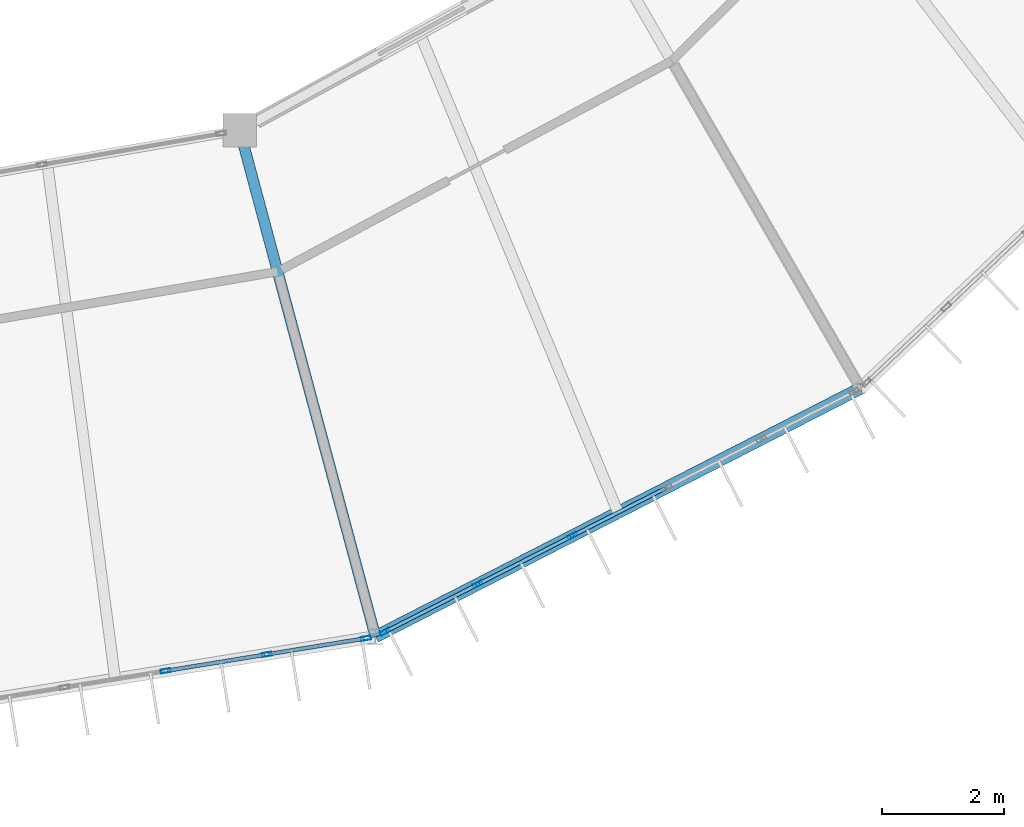
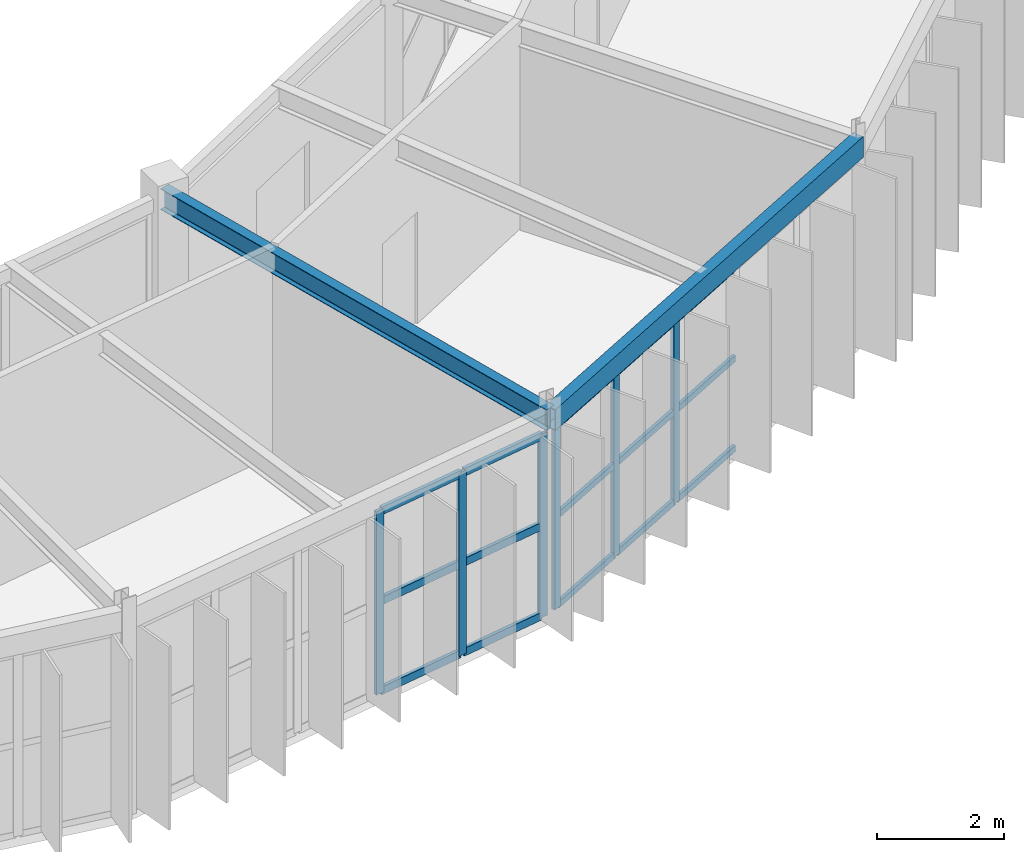
# One storey, part 34 of 106: 21 members, 2 beams, 2 elements without a shape of their own.
"""IFC4 building model written with IfcOpenShell, lengths in metres."""

from ifc_helpers import new_model, si_unit, direction, frame, origin, origin_2d, place, context, subcontext, project, spatial, hollow_rectangle, i_section, extrude, material, material_profile, profile_set, type_object, element, aggregate, save


model = new_model("IFC4")

# Units and contexts
model_context = context("Model", 3, precision=1e-05, world=origin(), true_north=direction((0.0, 1.0)))
body_context = subcontext(model_context, "Body", "Model", "MODEL_VIEW")
ifc_project = project(units=[si_unit("LENGTHUNIT", "METRE"), si_unit("AREAUNIT", "SQUARE_METRE"), si_unit("VOLUMEUNIT", "CUBIC_METRE"), si_unit("PLANEANGLEUNIT", "RADIAN"), si_unit("MASSUNIT", "GRAM", prefix="KILO")], contexts=[model_context])

# Site, building, storey
site_placement = place(None, origin())
site = spatial("IfcSite", under=ifc_project, at=site_placement, CompositionType="ELEMENT")
building_placement = place(site_placement, origin())
building = spatial("IfcBuilding", under=site, at=building_placement, Name="Karori Crest Natural Sciences Institute", CompositionType="ELEMENT")
storey_placement = place(building_placement, frame((0.0, 0.0, 25.89990234375)))
storey = spatial("IfcBuildingStorey", under=building, at=storey_placement, Name="L06", CompositionType="ELEMENT", Elevation=25.89990234375)

# Beams
ifc_material_1 = material(Name="Structural steel AS/NZS 3679.1 Grade 350", Category="steel")
ifc_material_profile_1 = material_profile(ifc_material_1, i_section(OverallWidth=0.177978515625, OverallDepth=0.406005859375, WebThickness=0.0078125, FlangeThickness=0.0126953125, FilletRadius=0.010986328125, at=origin_2d()), Name="410UB59.7")
ifc_profile_set_1 = profile_set([ifc_material_profile_1], Name="Structural steel AS/NZS 3679.1 Grade 350")
beam_type_1 = type_object("IfcBeamType", Name="BT-07", PredefinedType="BEAM", material=ifc_profile_set_1)
beam_1_placement = place(storey_placement, frame((72.715087890625, 18.797119140625, 3.739990234375), z_axis=(0.258819806009, -0.965925622404, 0.0), x_axis=(0.965925622404, 0.258819806009, 0.0)))
element("IfcBeam", 1, at=beam_1_placement, inside=storey, type_object=beam_type_1, Name="Beam B-0703", PredefinedType="BEAM", context=body_context, shape_type="SweptSolid", body=[
    extrude(i_section(OverallWidth=0.177978515625, OverallDepth=0.406005859375, WebThickness=0.0078125, FlangeThickness=0.0126953125, FilletRadius=0.010986328125, at=origin_2d()), origin(), (0.0, 0.0, 1.0), 8.599853515625),
])
ifc_material_2 = material(Name="Hollow structural steel AS/NZS 1163 Grade C350", Category="steel")
ifc_material_profile_2 = material_profile(ifc_material_2, hollow_rectangle(XDim=0.199951171875, YDim=0.39990234375, WallThickness=0.012451171875, at=origin_2d()), Name="RHS400x200x12.5")
ifc_profile_set_2 = profile_set([ifc_material_profile_2], Name="Hollow structural steel AS/NZS 1163 Grade C350")
beam_type_2 = type_object("IfcBeamType", Name="BT-14", PredefinedType="SPANDREL", material=ifc_profile_set_2)
beam_2_placement = place(storey_placement, frame((74.94091796875, 10.490234375, 3.739990234375), z_axis=(0.890071733872, 0.455820478436, 0.0), x_axis=(-0.455820478436, 0.890071733872, 0.0)))
element("IfcBeam", 2, at=beam_2_placement, inside=storey, type_object=beam_type_2, Name="Beam B-0701", PredefinedType="SPANDREL", context=body_context, shape_type="SweptSolid", body=[
    extrude(hollow_rectangle(XDim=0.199951171875, YDim=0.39990234375, WallThickness=0.012451171875, at=origin_2d()), origin(), (0.0, 0.0, 1.0), 8.94189453125),
])

# Curtain wall, members
ifc_material_3 = material(Name="Anodised architectural aluminium 6063-T6", Category="aluminium")
curtain_wall_type_1 = type_object("IfcCurtainWallType", Name="CWT-09", PredefinedType="NOTDEFINED", material=ifc_material_3)
curtain_wall_1_placement = place(storey_placement, origin())
curtain_wall_1 = element("IfcCurtainWall", 3, at=curtain_wall_1_placement, inside=storey, type_object=curtain_wall_type_1, Name="Curtain wall CW-0211", PredefinedType="NOTDEFINED")
ifc_material_profile_3 = material_profile(ifc_material_3, hollow_rectangle(XDim=0.06494140625, YDim=0.159912109375, WallThickness=0.00390625, at=origin_2d()), Name="CWM160x65x4")
ifc_profile_set_3 = profile_set([ifc_material_profile_3], Name="Anodised architectural aluminium 6063-T6")
member_type_1 = type_object("IfcMemberType", Name="CWM-01", PredefinedType="MULLION", material=ifc_profile_set_3)
member_1_placement = place(storey_placement, frame((74.783935546875, 10.464599609375, 0.0), z_axis=(0.0, 0.0, 1.0), x_axis=(0.160650246484, -0.987011397252, 0.0)))
member_1 = element("IfcMember", 4, at=member_1_placement, type_object=member_type_1, Name="CW-0211 mullion 1", PredefinedType="MULLION", context=body_context, shape_type="SweptSolid", body=[
    extrude(hollow_rectangle(XDim=0.06494140625, YDim=0.159912109375, WallThickness=0.00390625, at=origin_2d()), origin(), (0.0, 0.0, 1.0), 3.525146484375),
])
member_2_placement = place(storey_placement, frame((73.157958984375, 10.199951171875, 0.0), z_axis=(0.0, 0.0, 1.0), x_axis=(0.160650246484, -0.987011397252, 0.0)))
member_2 = element("IfcMember", 5, at=member_2_placement, type_object=member_type_1, Name="CW-0211 mullion 2", PredefinedType="MULLION", context=body_context, shape_type="SweptSolid", body=[
    extrude(hollow_rectangle(XDim=0.06494140625, YDim=0.159912109375, WallThickness=0.00390625, at=origin_2d()), origin(), (0.0, 0.0, 1.0), 3.525146484375),
])
member_3_placement = place(storey_placement, frame((71.5, 9.93017578125, 0.0), z_axis=(0.0, 0.0, 1.0), x_axis=(0.160650246484, -0.987011397252, 0.0)))
member_3 = element("IfcMember", 6, at=member_3_placement, type_object=member_type_1, Name="CW-0211 mullion 3", PredefinedType="MULLION", context=body_context, shape_type="SweptSolid", body=[
    extrude(hollow_rectangle(XDim=0.06494140625, YDim=0.159912109375, WallThickness=0.00390625, at=origin_2d()), origin(), (0.0, 0.0, 1.0), 3.525146484375),
])

curtain_wall_type_2 = type_object("IfcCurtainWallType", Name="CWT-10", PredefinedType="NOTDEFINED", material=ifc_material_3)
curtain_wall_2_placement = place(storey_placement, origin())
curtain_wall_2 = element("IfcCurtainWall", 7, at=curtain_wall_2_placement, inside=storey, type_object=curtain_wall_type_2, Name="Curtain wall CW-0213", PredefinedType="NOTDEFINED")
member_4_placement = place(storey_placement, frame((78.169677734375, 12.1435546875, 0.0), z_axis=(0.0, 0.0, 1.0), x_axis=(0.455828878252, -0.890067432138, 0.0)))
member_4 = element("IfcMember", 8, at=member_4_placement, type_object=member_type_1, Name="CW-0213 mullion 4", PredefinedType="MULLION", context=body_context, shape_type="SweptSolid", body=[
    extrude(hollow_rectangle(XDim=0.06494140625, YDim=0.159912109375, WallThickness=0.00390625, at=origin_2d()), origin(), (0.0, 0.0, 1.0), 3.525146484375),
])
member_5_placement = place(storey_placement, frame((76.617919921875, 11.348876953125, 0.0), z_axis=(0.0, 0.0, 1.0), x_axis=(0.455828878252, -0.890067432138, 0.0)))
member_5 = element("IfcMember", 9, at=member_5_placement, type_object=member_type_1, Name="CW-0213 mullion 5", PredefinedType="MULLION", context=body_context, shape_type="SweptSolid", body=[
    extrude(hollow_rectangle(XDim=0.06494140625, YDim=0.159912109375, WallThickness=0.00390625, at=origin_2d()), origin(), (0.0, 0.0, 1.0), 3.525146484375),
])
member_6_placement = place(storey_placement, frame((75.09521484375, 10.569091796875, 0.0), z_axis=(0.0, 0.0, 1.0), x_axis=(0.455828878252, -0.890067432138, 0.0)))
member_6 = element("IfcMember", 10, at=member_6_placement, type_object=member_type_1, Name="CW-0213 mullion 6", PredefinedType="MULLION", context=body_context, shape_type="SweptSolid", body=[
    extrude(hollow_rectangle(XDim=0.06494140625, YDim=0.159912109375, WallThickness=0.00390625, at=origin_2d()), origin(), (0.0, 0.0, 1.0), 3.525146484375),
])
ifc_material_profile_4 = material_profile(ifc_material_3, hollow_rectangle(XDim=0.06005859375, YDim=0.1201171875, WallThickness=0.00390625, at=origin_2d()), Name="CWT120x60x4")
ifc_profile_set_4 = profile_set([ifc_material_profile_4], Name="Anodised architectural aluminium 6063-T6")
member_type_2 = type_object("IfcMemberType", Name="CWT-TR1", PredefinedType="USERDEFINED", material=ifc_profile_set_4)
member_7_placement = place(storey_placement, frame((79.6923828125, 12.923583984375, 0.030029296875), z_axis=(-0.890050562189, -0.455861817601, 0.0), x_axis=(0.455861817601, -0.890050562189, 0.0)))
member_7 = element("IfcMember", 11, at=member_7_placement, type_object=member_type_2, Name="CW-0213 transom 3.1", ObjectType="TRANSOM", PredefinedType="USERDEFINED", context=body_context, shape_type="SweptSolid", body=[
    extrude(hollow_rectangle(XDim=0.06005859375, YDim=0.1201171875, WallThickness=0.00390625, at=origin_2d()), origin(), (0.0, 0.0, 1.0), 1.678466796875),
])
member_8_placement = place(storey_placement, frame((79.6923828125, 12.923583984375, 1.7626953125), z_axis=(-0.890050562189, -0.455861817601, 0.0), x_axis=(0.455861817601, -0.890050562189, 0.0)))
member_8 = element("IfcMember", 12, at=member_8_placement, type_object=member_type_2, Name="CW-0213 transom 3.2", ObjectType="TRANSOM", PredefinedType="USERDEFINED", context=body_context, shape_type="SweptSolid", body=[
    extrude(hollow_rectangle(XDim=0.06005859375, YDim=0.1201171875, WallThickness=0.00390625, at=origin_2d()), origin(), (0.0, 0.0, 1.0), 1.678466796875),
])
member_9_placement = place(storey_placement, frame((79.6923828125, 12.923583984375, 3.4951171875), z_axis=(-0.890050562189, -0.455861817601, 0.0), x_axis=(0.455861817601, -0.890050562189, 0.0)))
member_9 = element("IfcMember", 13, at=member_9_placement, type_object=member_type_2, Name="CW-0213 transom 3.3", ObjectType="TRANSOM", PredefinedType="USERDEFINED", context=body_context, shape_type="SweptSolid", body=[
    extrude(hollow_rectangle(XDim=0.06005859375, YDim=0.1201171875, WallThickness=0.00390625, at=origin_2d()), origin(), (0.0, 0.0, 1.0), 1.678466796875),
])
member_10_placement = place(storey_placement, frame((78.140625, 12.12890625, 0.030029296875), z_axis=(-0.890050562189, -0.455861817601, 0.0), x_axis=(0.455861817601, -0.890050562189, 0.0)))
member_10 = element("IfcMember", 14, at=member_10_placement, type_object=member_type_2, Name="CW-0213 transom 4.1", ObjectType="TRANSOM", PredefinedType="USERDEFINED", context=body_context, shape_type="SweptSolid", body=[
    extrude(hollow_rectangle(XDim=0.06005859375, YDim=0.1201171875, WallThickness=0.00390625, at=origin_2d()), origin(), (0.0, 0.0, 1.0), 1.678466796875),
])
member_11_placement = place(storey_placement, frame((78.140625, 12.12890625, 1.7626953125), z_axis=(-0.890050562189, -0.455861817601, 0.0), x_axis=(0.455861817601, -0.890050562189, 0.0)))
member_11 = element("IfcMember", 15, at=member_11_placement, type_object=member_type_2, Name="CW-0213 transom 4.2", ObjectType="TRANSOM", PredefinedType="USERDEFINED", context=body_context, shape_type="SweptSolid", body=[
    extrude(hollow_rectangle(XDim=0.06005859375, YDim=0.1201171875, WallThickness=0.00390625, at=origin_2d()), origin(), (0.0, 0.0, 1.0), 1.678466796875),
])
member_12_placement = place(storey_placement, frame((78.140625, 12.12890625, 3.4951171875), z_axis=(-0.890050562189, -0.455861817601, 0.0), x_axis=(0.455861817601, -0.890050562189, 0.0)))
member_12 = element("IfcMember", 16, at=member_12_placement, type_object=member_type_2, Name="CW-0213 transom 4.3", ObjectType="TRANSOM", PredefinedType="USERDEFINED", context=body_context, shape_type="SweptSolid", body=[
    extrude(hollow_rectangle(XDim=0.06005859375, YDim=0.1201171875, WallThickness=0.00390625, at=origin_2d()), origin(), (0.0, 0.0, 1.0), 1.678466796875),
])
member_13_placement = place(storey_placement, frame((76.589111328125, 11.334228515625, 0.030029296875), z_axis=(-0.890084461025, -0.455795625518, 0.0), x_axis=(0.455795625518, -0.890084461025, 0.0)))
member_13 = element("IfcMember", 17, at=member_13_placement, type_object=member_type_2, Name="CW-0213 transom 5.1", ObjectType="TRANSOM", PredefinedType="USERDEFINED", context=body_context, shape_type="SweptSolid", body=[
    extrude(hollow_rectangle(XDim=0.06005859375, YDim=0.1201171875, WallThickness=0.00390625, at=origin_2d()), origin(), (0.0, 0.0, 1.0), 1.64599609375),
])
member_14_placement = place(storey_placement, frame((76.589111328125, 11.334228515625, 1.7626953125), z_axis=(-0.890084461025, -0.455795625518, 0.0), x_axis=(0.455795625518, -0.890084461025, 0.0)))
member_14 = element("IfcMember", 18, at=member_14_placement, type_object=member_type_2, Name="CW-0213 transom 5.2", ObjectType="TRANSOM", PredefinedType="USERDEFINED", context=body_context, shape_type="SweptSolid", body=[
    extrude(hollow_rectangle(XDim=0.06005859375, YDim=0.1201171875, WallThickness=0.00390625, at=origin_2d()), origin(), (0.0, 0.0, 1.0), 1.64599609375),
])
member_15_placement = place(storey_placement, frame((76.589111328125, 11.334228515625, 3.4951171875), z_axis=(-0.890084461025, -0.455795625518, 0.0), x_axis=(0.455795625518, -0.890084461025, 0.0)))
member_15 = element("IfcMember", 19, at=member_15_placement, type_object=member_type_2, Name="CW-0213 transom 5.3", ObjectType="TRANSOM", PredefinedType="USERDEFINED", context=body_context, shape_type="SweptSolid", body=[
    extrude(hollow_rectangle(XDim=0.06005859375, YDim=0.1201171875, WallThickness=0.00390625, at=origin_2d()), origin(), (0.0, 0.0, 1.0), 1.64599609375),
])
aggregate(curtain_wall_2, [member_4, member_5, member_6, member_7, member_8, member_9, member_10, member_11, member_12, member_13, member_14, member_15])

# Member
ifc_material_profile_5 = material_profile(ifc_material_3, hollow_rectangle(XDim=0.06494140625, YDim=0.14990234375, WallThickness=0.00390625, at=origin_2d()), Name="CWT150x65x4")
ifc_profile_set_5 = profile_set([ifc_material_profile_5], Name="Anodised architectural aluminium 6063-T6")
member_type_3 = type_object("IfcMemberType", Name="CWT-TR2", PredefinedType="USERDEFINED", material=ifc_profile_set_5)
member_16_placement = place(storey_placement, frame((74.751708984375, 10.45947265625, 0.03271484375), z_axis=(-0.98699190147, -0.160769979886, 0.0), x_axis=(0.160769979886, -0.98699190147, 0.0)))
member_16 = element("IfcMember", 20, at=member_16_placement, type_object=member_type_3, Name="CW-0211 transom 1.1", ObjectType="TRANSOM", PredefinedType="USERDEFINED", context=body_context, shape_type="SweptSolid", body=[
    extrude(hollow_rectangle(XDim=0.06494140625, YDim=0.14990234375, WallThickness=0.00390625, at=origin_2d()), origin(), (0.0, 0.0, 1.0), 1.582275390625),
])

member_17_placement = place(storey_placement, frame((74.751708984375, 10.45947265625, 1.7626953125), z_axis=(-0.98699190147, -0.160769979886, 0.0), x_axis=(0.160769979886, -0.98699190147, 0.0)))
member_17 = element("IfcMember", 21, at=member_17_placement, type_object=member_type_3, Name="CW-0211 transom 1.2", ObjectType="TRANSOM", PredefinedType="USERDEFINED", context=body_context, shape_type="SweptSolid", body=[
    extrude(hollow_rectangle(XDim=0.06494140625, YDim=0.14990234375, WallThickness=0.00390625, at=origin_2d()), origin(), (0.0, 0.0, 1.0), 1.582275390625),
])

member_18_placement = place(storey_placement, frame((74.751708984375, 10.45947265625, 3.49267578125), z_axis=(-0.98699190147, -0.160769979886, 0.0), x_axis=(0.160769979886, -0.98699190147, 0.0)))
member_18 = element("IfcMember", 22, at=member_18_placement, type_object=member_type_3, Name="CW-0211 transom 1.3", ObjectType="TRANSOM", PredefinedType="USERDEFINED", context=body_context, shape_type="SweptSolid", body=[
    extrude(hollow_rectangle(XDim=0.06494140625, YDim=0.14990234375, WallThickness=0.00390625, at=origin_2d()), origin(), (0.0, 0.0, 1.0), 1.582275390625),
])

member_19_placement = place(storey_placement, frame((73.125732421875, 10.19482421875, 0.03271484375), z_axis=(-0.987000019858, -0.16072013191, 0.0), x_axis=(0.16072013191, -0.987000019858, 0.0)))
member_19 = element("IfcMember", 23, at=member_19_placement, type_object=member_type_3, Name="CW-0211 transom 2.1", ObjectType="TRANSOM", PredefinedType="USERDEFINED", context=body_context, shape_type="SweptSolid", body=[
    extrude(hollow_rectangle(XDim=0.06494140625, YDim=0.14990234375, WallThickness=0.00390625, at=origin_2d()), origin(), (0.0, 0.0, 1.0), 1.61474609375),
])

member_20_placement = place(storey_placement, frame((73.125732421875, 10.19482421875, 1.7626953125), z_axis=(-0.987000019858, -0.16072013191, 0.0), x_axis=(0.16072013191, -0.987000019858, 0.0)))
member_20 = element("IfcMember", 24, at=member_20_placement, type_object=member_type_3, Name="CW-0211 transom 2.2", ObjectType="TRANSOM", PredefinedType="USERDEFINED", context=body_context, shape_type="SweptSolid", body=[
    extrude(hollow_rectangle(XDim=0.06494140625, YDim=0.14990234375, WallThickness=0.00390625, at=origin_2d()), origin(), (0.0, 0.0, 1.0), 1.61474609375),
])

member_21_placement = place(storey_placement, frame((73.125732421875, 10.19482421875, 3.49267578125), z_axis=(-0.987000019858, -0.16072013191, 0.0), x_axis=(0.16072013191, -0.987000019858, 0.0)))
member_21 = element("IfcMember", 25, at=member_21_placement, type_object=member_type_3, Name="CW-0211 transom 2.3", ObjectType="TRANSOM", PredefinedType="USERDEFINED", context=body_context, shape_type="SweptSolid", body=[
    extrude(hollow_rectangle(XDim=0.06494140625, YDim=0.14990234375, WallThickness=0.00390625, at=origin_2d()), origin(), (0.0, 0.0, 1.0), 1.61474609375),
])

aggregate(curtain_wall_1, [member_1, member_2, member_3, member_16, member_17, member_18, member_19, member_20, member_21])

save(model, "model.ifc")
